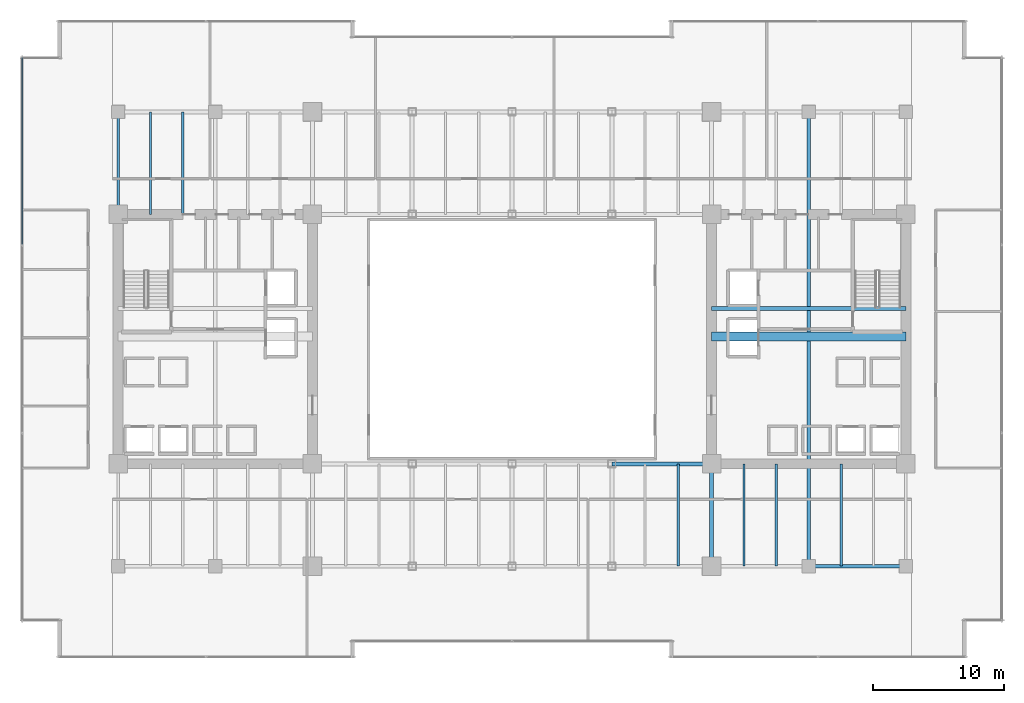
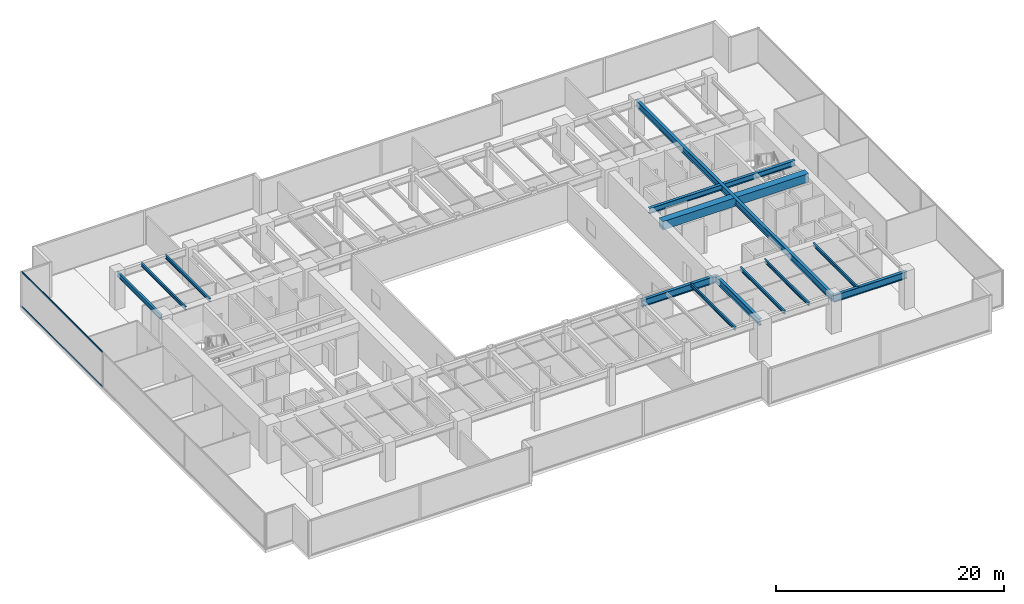
# One storey, part 11 of 36: 13 beams, 2 members, 1 element without a shape of its own.
"""IFC4 building model written with IfcOpenShell, lengths in metres."""

import ifcopenshell
import ifcopenshell.guid

model = None  # the IFC model being written
_history = None  # IfcOwnerHistory: only IFC2X3 demands one
_inside = {}  # id of a spatial element -> (the spatial element, [elements in it])
_under = {}  # id of a project, library or spatial element -> (it, [spatial elements below it])
_declared = {}  # id of a project -> (the project, [libraries it declares])
_typed = {}  # id of a type object -> (the type object, [elements of that type])
_made_of = {}  # id of a material, layer set ... -> (it, [elements and type objects made of it])


def new_model(schema):
    """Start an empty IFC model of exactly this schema.

    Asked for "IFC4X3", IfcOpenShell would pick the latest addendum, in which some entities
    have other attributes; the version numbers below select the first issue.
    IFC2X3 requires an IfcOwnerHistory on every rooted entity: one is made here for all.
    """
    global model, _history
    if schema == "IFC4X3":
        model = ifcopenshell.file(schema_version=(4, 3, 0, 0))
    else:
        model = ifcopenshell.file(schema=schema)
    _inside.clear()
    _under.clear()
    _declared.clear()
    _typed.clear()
    _made_of.clear()
    _history = None
    if model.schema == "IFC2X3":
        org = make("IfcOrganization", Name="unknown")
        user = make(
            "IfcPersonAndOrganization",
            ThePerson=make("IfcPerson", FamilyName="unknown"),
            TheOrganization=org,
        )
        app = make(
            "IfcApplication",
            ApplicationDeveloper=org,
            Version="unknown",
            ApplicationFullName="unknown",
            ApplicationIdentifier="unknown",
        )
        _history = make(
            "IfcOwnerHistory",
            OwningUser=user,
            OwningApplication=app,
            ChangeAction="ADDED",
            CreationDate=0,
        )
    return model


def make(cls, **values):
    """One entity of the class cls with the attributes given. An attribute that is None is left unset."""
    return model.create_entity(
        cls, **{name: value for name, value in values.items() if value is not None}
    )


def rooted(cls, **values):
    """An entity with a GlobalId (a new one), such as an element, a storey or a relation."""
    return make(cls, GlobalId=ifcopenshell.guid.new(), OwnerHistory=_history, **values)


def si_unit(unit_type, name, prefix=None):
    """IfcSIUnit, for example si_unit("LENGTHUNIT", "METRE", prefix="MILLI")."""
    return make("IfcSIUnit", UnitType=unit_type, Prefix=prefix, Name=name)


def assignment(units):
    """IfcUnitAssignment: the units of a project."""
    return None if units is None else make("IfcUnitAssignment", Units=units)


def point(xyz):
    """IfcCartesianPoint."""
    return None if xyz is None else make("IfcCartesianPoint", Coordinates=xyz)


def direction(xyz):
    """IfcDirection."""
    return None if xyz is None else make("IfcDirection", DirectionRatios=xyz)


def frame(location, z_axis=None, x_axis=None):
    """IfcAxis2Placement3D, a coordinate frame: its origin and axes. An axis left out is left unset."""
    return make(
        "IfcAxis2Placement3D",
        Location=point(location),
        Axis=direction(z_axis),
        RefDirection=direction(x_axis),
    )


def frame_2d(location, x_axis=None):
    """IfcAxis2Placement2D, a coordinate frame in the plane: its origin and x axis."""
    return make(
        "IfcAxis2Placement2D", Location=point(location), RefDirection=direction(x_axis)
    )


def origin():
    """The frame at (0, 0, 0) with its axes left unset."""
    return frame((0.0, 0.0, 0.0))


def origin_2d():
    """The frame at (0, 0) in the plane with its x axis left unset."""
    return frame_2d((0.0, 0.0))


def place(relative_to, where):
    """IfcLocalPlacement: puts the frame where relative to a parent placement (None: the world)."""
    return make(
        "IfcLocalPlacement", PlacementRelTo=relative_to, RelativePlacement=where
    )


def context(
    kind, dimensions, precision=None, world=None, true_north=None, identifier=None
):
    """IfcGeometricRepresentationContext, for example the 3D "Model" context."""
    return make(
        "IfcGeometricRepresentationContext",
        ContextIdentifier=identifier,
        ContextType=kind,
        CoordinateSpaceDimension=dimensions,
        Precision=precision,
        WorldCoordinateSystem=world,
        TrueNorth=true_north,
    )


def subcontext(parent, identifier, kind, view, scale=None):
    """IfcGeometricRepresentationSubContext, for example "Body" below "Model"."""
    return make(
        "IfcGeometricRepresentationSubContext",
        ContextIdentifier=identifier,
        ContextType=kind,
        ParentContext=parent,
        TargetScale=scale,
        TargetView=view,
    )


def project(units=None, contexts=None):
    """IfcProject with its units and contexts."""
    return rooted(
        "IfcProject",
        Name="project",
        RepresentationContexts=contexts,
        UnitsInContext=assignment(units),
    )


def spatial(cls, under=None, at=None, **own):
    """A site, building, storey or space (cls), placed at a placement, below another one or the project."""
    s = rooted(cls, ObjectPlacement=at, **own)
    if under is not None:
        _under.setdefault(under.id(), (under, []))[1].append(s)
    return s


def profile(cls, at=None, kind="AREA", **sizes):
    """A parametric profile (cls). Its sizes go by their IFC names, for example OverallWidth=200.0."""
    return make(cls, ProfileType=kind, Position=at, **sizes)


def rectangle(**sizes):
    """IfcRectangleProfileDef."""
    return profile("IfcRectangleProfileDef", **sizes)


def hollow_rectangle(**sizes):
    """IfcRectangleHollowProfileDef."""
    return profile("IfcRectangleHollowProfileDef", **sizes)


def i_section(**sizes):
    """IfcIShapeProfileDef."""
    return profile("IfcIShapeProfileDef", **sizes)


def extrude(swept, where, along, depth):
    """IfcExtrudedAreaSolid: the profile swept, set in the frame where, extruded along a direction by depth."""
    return make(
        "IfcExtrudedAreaSolid",
        SweptArea=swept,
        Position=where,
        ExtrudedDirection=direction(along),
        Depth=depth,
    )


def shape(context_of_items, identifier, shape_type, items):
    """IfcShapeRepresentation: the items that make up one representation, for example the "Body"."""
    return make(
        "IfcShapeRepresentation",
        ContextOfItems=context_of_items,
        RepresentationIdentifier=identifier,
        RepresentationType=shape_type,
        Items=items,
    )


def source(mapping_origin, context_of_items, identifier, shape_type, items):
    """IfcRepresentationMap: a shape defined once, which mapped items show again and again."""
    return make(
        "IfcRepresentationMap",
        MappingOrigin=mapping_origin,
        MappedRepresentation=shape(context_of_items, identifier, shape_type, items),
    )


def transform(
    local_origin,
    x_axis=None,
    y_axis=None,
    z_axis=None,
    scale=None,
    scale2=None,
    scale3=None,
    uniform=True,
):
    """IfcCartesianTransformationOperator3D, or its non-uniform kind. x_axis, y_axis, z_axis: its Axis1, 2, 3."""
    if uniform:
        return make(
            "IfcCartesianTransformationOperator3D",
            Axis1=direction(x_axis),
            Axis2=direction(y_axis),
            LocalOrigin=point(local_origin),
            Scale=scale,
            Axis3=direction(z_axis),
        )
    return make(
        "IfcCartesianTransformationOperator3DnonUniform",
        Axis1=direction(x_axis),
        Axis2=direction(y_axis),
        LocalOrigin=point(local_origin),
        Scale=scale,
        Axis3=direction(z_axis),
        Scale2=scale2,
        Scale3=scale3,
    )


def mapped(mapping_source, mapping_target):
    """IfcMappedItem: shows the shape of a source again, moved by a transform."""
    return make(
        "IfcMappedItem", MappingSource=mapping_source, MappingTarget=mapping_target
    )


def material(Name=None, Category=None):
    """IfcMaterial."""
    return make("IfcMaterial", Name=Name, Category=Category)


def layer(
    of_material, thickness, ventilated=None, Name=None, Category=None, Priority=None
):
    """IfcMaterialLayer: one layer of a wall or slab, of a material (None: an air gap)."""
    return make(
        "IfcMaterialLayer",
        Material=of_material,
        LayerThickness=thickness,
        IsVentilated=ventilated,
        Name=Name,
        Category=Category,
        Priority=Priority,
    )


def layer_set(layers, Name=None):
    """IfcMaterialLayerSet."""
    return make("IfcMaterialLayerSet", MaterialLayers=layers, LayerSetName=Name)


def material_profile(
    of_material, cross_section, Name=None, Category=None, Priority=None
):
    """IfcMaterialProfile: a cross section and its material."""
    return make(
        "IfcMaterialProfile",
        Name=Name,
        Material=of_material,
        Profile=cross_section,
        Priority=Priority,
        Category=Category,
    )


def profile_set(profiles, Name=None, composite=None):
    """IfcMaterialProfileSet."""
    return make(
        "IfcMaterialProfileSet",
        Name=Name,
        MaterialProfiles=profiles,
        CompositeProfile=composite,
    )


def made_of(thing, what):
    """Note that an element or type object is made of a material, layer set ...; save() writes the relation."""
    if what is not None:
        _made_of.setdefault(what.id(), (what, []))[1].append(thing)
    return thing


def type_object(cls, material=None, **own):
    """A type object (cls), such as IfcWallType, which elements share."""
    return made_of(rooted(cls, **own), material)


def type_shapes(of_type, sources):
    """Give a type object the sources (RepresentationMaps) that its elements show as mapped items."""
    of_type.RepresentationMaps = sources


def element(
    cls,
    number,
    at=None,
    inside=None,
    cuts=None,
    type_object=None,
    material=None,
    context=None,
    identifier="Body",
    shape_type=None,
    held_by="IfcProductDefinitionShape",
    body=None,
    shapes=None,
    **own,
):
    """One element of the class cls, such as IfcWall. Its Tag is "e" and its number.

    at: its placement. inside: the storey or other place that contains it. cuts: it is an
    opening in that element (IfcRelVoidsElement). A single representation is given by context,
    identifier, shape_type and body (its items); several are given by shapes. held_by: the class
    of the entity that holds the representations. save() writes the other relations.
    """
    e = rooted(cls, Tag="e%d" % number, ObjectPlacement=at, **own)
    if body is not None:
        shapes = [shape(context, identifier, shape_type, body)]
    if shapes is not None:
        e.Representation = make(held_by, Representations=shapes)
    if inside is not None:
        _inside.setdefault(inside.id(), (inside, []))[1].append(e)
    if cuts is not None:
        rooted(
            "IfcRelVoidsElement", RelatingBuildingElement=cuts, RelatedOpeningElement=e
        )
    if type_object is not None:
        _typed.setdefault(type_object.id(), (type_object, []))[1].append(e)
    return made_of(e, material)


def aggregate(whole, parts):
    """IfcRelAggregates: a whole, such as a stair, and the parts it consists of."""
    return rooted("IfcRelAggregates", RelatingObject=whole, RelatedObjects=parts)


def save(model, path):
    """Write the relations noted so far, then the file.

    IfcRelAggregates (storeys below a building ...), IfcRelContainedInSpatialStructure (elements
    in a storey), IfcRelDefinesByType, IfcRelAssociatesMaterial and IfcRelDeclares: one each for
    every whole, place, type object, material and project.
    """
    for whole, parts in _under.values():
        aggregate(whole, parts)
    for where, things in _inside.values():
        rooted(
            "IfcRelContainedInSpatialStructure",
            RelatedElements=things,
            RelatingStructure=where,
        )
    for kind, things in _typed.values():
        rooted("IfcRelDefinesByType", RelatedObjects=things, RelatingType=kind)
    for what, things in _made_of.values():
        rooted("IfcRelAssociatesMaterial", RelatedObjects=things, RelatingMaterial=what)
    for by, libraries in _declared.values():
        rooted("IfcRelDeclares", RelatingContext=by, RelatedDefinitions=libraries)
    model.write(path)


model = new_model("IFC4")

# Units and contexts
model_context = context("Model", 3, precision=1e-05, world=origin(), true_north=direction((0.0, 1.0)))
body_context = subcontext(model_context, "Body", "Model", "MODEL_VIEW")
ifc_project = project(units=[si_unit("LENGTHUNIT", "METRE"), si_unit("AREAUNIT", "SQUARE_METRE"), si_unit("VOLUMEUNIT", "CUBIC_METRE"), si_unit("PLANEANGLEUNIT", "RADIAN"), si_unit("MASSUNIT", "GRAM", prefix="KILO")], contexts=[model_context])

# Site, building, storey
site_placement = place(None, origin())
site = spatial("IfcSite", under=ifc_project, at=site_placement, CompositionType="ELEMENT")
building_placement = place(site_placement, origin())
building = spatial("IfcBuilding", under=site, at=building_placement, Name="Haelvirn Gate Laboratories", CompositionType="ELEMENT")
storey_placement = place(building_placement, frame((0.0, 0.0, 49.800048828125)))
storey = spatial("IfcBuildingStorey", under=building, at=storey_placement, Name="L12", CompositionType="ELEMENT", Elevation=49.800048828125)

# Beams
ifc_material_1 = material(Name="Concrete C60/75", Category="concrete")
ifc_material_profile_1 = material_profile(ifc_material_1, rectangle(XDim=0.699951171875, YDim=0.89990234375, at=origin_2d()), Name="RCB-700x900")
ifc_profile_set_1 = profile_set([ifc_material_profile_1], Name="Concrete C60/75")
beam_type_1 = type_object("IfcBeamType", Name="BM-RCB-900", PredefinedType="LINTEL", material=ifc_profile_set_1)
shared_shape_1 = source(origin(), body_context, "Body", "SweptSolid", [
    extrude(rectangle(XDim=0.699951171875, YDim=0.89990234375, at=origin_2d()), origin(), (0.0, 0.0, 1.0), 14.7998046875),
])
type_shapes(beam_type_1, [shared_shape_1])
beam_1_placement = place(storey_placement, frame((52.60009765625, 24.5, 3.329833984375), z_axis=(1.0, 0.0, 0.0), x_axis=(0.0, 1.0, 0.0)))
element("IfcBeam", 1, at=beam_1_placement, inside=storey, type_object=beam_type_1, Name="L12 East Core Coupling Beam", PredefinedType="LINTEL", context=body_context, shape_type="MappedRepresentation", body=[
    mapped(shared_shape_1, transform((0.0, 0.0, 0.0), scale=1.0)),
])
ifc_material_2 = material(Name="Steel SM355", Category="steel")
ifc_material_profile_2 = material_profile(ifc_material_2, i_section(OverallWidth=0.300048828125, OverallDepth=0.587890625, WebThickness=0.011962890625, FlangeThickness=0.02001953125, at=origin_2d()), Name="H-588x300x12x20")
ifc_profile_set_2 = profile_set([ifc_material_profile_2], Name="Steel SM355")
beam_type_2 = type_object("IfcBeamType", Name="BM-G-588", PredefinedType="BEAM", material=ifc_profile_set_2)
shared_shape_2 = source(origin(), body_context, "Body", "SweptSolid", [
    extrude(i_section(OverallWidth=0.300048828125, OverallDepth=0.587890625, WebThickness=0.011962890625, FlangeThickness=0.02001953125, at=origin_2d()), origin(), (0.0, 0.0, 1.0), 14.7998046875),
])
type_shapes(beam_type_2, [shared_shape_2])
beam_2_placement = place(storey_placement, frame((52.60009765625, 26.6201171875, 3.48583984375), z_axis=(1.0, 0.0, 0.0), x_axis=(0.0, 1.0, 0.0)))
element("IfcBeam", 2, at=beam_2_placement, inside=storey, type_object=beam_type_2, Name="L12 Stair ST2 Landing Header", PredefinedType="BEAM", context=body_context, shape_type="MappedRepresentation", body=[
    mapped(shared_shape_2, transform((0.0, 0.0, 0.0), scale=1.0)),
])
ifc_material_profile_3 = material_profile(ifc_material_2, i_section(OverallWidth=0.300048828125, OverallDepth=0.699951171875, WebThickness=0.012939453125, FlangeThickness=0.02392578125, at=origin_2d()), Name="H-700x300x13x24")
ifc_profile_set_3 = profile_set([ifc_material_profile_3], Name="Steel SM355")
beam_type_3 = type_object("IfcBeamType", Name="BM-G-700", PredefinedType="BEAM", material=ifc_profile_set_3)
shared_shape_3 = source(origin(), body_context, "Body", "SweptSolid", [
    extrude(i_section(OverallWidth=0.300048828125, OverallDepth=0.699951171875, WebThickness=0.012939453125, FlangeThickness=0.02392578125, at=origin_2d()), origin(), (0.0, 0.0, 1.0), 7.800048828125),
])
beam_3_placement = place(storey_placement, frame((52.60009765625, 7.0, 3.429931640625), z_axis=(0.0, 1.0, 0.0), x_axis=(-1.0, 0.0, 0.0)))
element("IfcBeam", 3, at=beam_3_placement, inside=storey, type_object=beam_type_3, Name="L12 Frame Girder X52.6 (7.0-14.8)", PredefinedType="BEAM", context=body_context, shape_type="MappedRepresentation", body=[
    mapped(shared_shape_3, transform((0.0, 0.0, 0.0), scale=1.0)),
])
shared_shape_4 = source(origin(), body_context, "Body", "SweptSolid", [
    extrude(i_section(OverallWidth=0.300048828125, OverallDepth=0.699951171875, WebThickness=0.012939453125, FlangeThickness=0.02392578125, at=origin_2d()), origin(), (0.0, 0.0, 1.0), 34.60009765625),
])
type_shapes(beam_type_3, [shared_shape_3, shared_shape_4])
beam_4_placement = place(storey_placement, frame((60.0, 7.0, 3.429931640625), z_axis=(0.0, 1.0, 0.0), x_axis=(-1.0, 0.0, 0.0)))
element("IfcBeam", 4, at=beam_4_placement, inside=storey, type_object=beam_type_3, Name="L12 Frame Girder X60.0 (7.0-41.6)", PredefinedType="BEAM", context=body_context, shape_type="MappedRepresentation", body=[
    mapped(shared_shape_4, transform((0.0, 0.0, 0.0), scale=1.0)),
])
ifc_material_profile_4 = material_profile(ifc_material_2, i_section(OverallWidth=0.300048828125, OverallDepth=0.75, WebThickness=0.013916015625, FlangeThickness=0.02392578125, at=origin_2d()), Name="H-750x300x14x24")
ifc_profile_set_4 = profile_set([ifc_material_profile_4], Name="Steel SM355")
beam_type_4 = type_object("IfcBeamType", Name="BM-G-750", PredefinedType="BEAM", material=ifc_profile_set_4)
shared_shape_5 = source(origin(), body_context, "Body", "SweptSolid", [
    extrude(i_section(OverallWidth=0.300048828125, OverallDepth=0.75, WebThickness=0.013916015625, FlangeThickness=0.02392578125, at=origin_2d()), origin(), (0.0, 0.0, 1.0), 7.39990234375),
])
beam_5_placement = place(storey_placement, frame((60.0, 7.0, 3.405029296875), z_axis=(1.0, 0.0, 0.0), x_axis=(0.0, 1.0, 0.0)))
element("IfcBeam", 5, at=beam_5_placement, inside=storey, type_object=beam_type_4, Name="L12 Primary Girder Y7.0 (60.0-67.4)", PredefinedType="BEAM", context=body_context, shape_type="MappedRepresentation", body=[
    mapped(shared_shape_5, transform((0.0, 0.0, 0.0), scale=1.0)),
])
shared_shape_6 = source(origin(), body_context, "Body", "SweptSolid", [
    extrude(i_section(OverallWidth=0.300048828125, OverallDepth=0.75, WebThickness=0.013916015625, FlangeThickness=0.02392578125, at=origin_2d()), origin(), (0.0, 0.0, 1.0), 7.60009765625),
])
type_shapes(beam_type_4, [shared_shape_5, shared_shape_6])
beam_6_placement = place(storey_placement, frame((45.0, 14.800048828125, 3.405029296875), z_axis=(1.0, 0.0, 0.0), x_axis=(0.0, 1.0, 0.0)))
element("IfcBeam", 6, at=beam_6_placement, inside=storey, type_object=beam_type_4, Name="L12 Primary Girder Y14.8 (45.0-52.6)", PredefinedType="BEAM", context=body_context, shape_type="MappedRepresentation", body=[
    mapped(shared_shape_6, transform((0.0, 0.0, 0.0), scale=1.0)),
])
ifc_material_profile_5 = material_profile(ifc_material_2, i_section(OverallWidth=0.199951171875, OverallDepth=0.5, WebThickness=0.010009765625, FlangeThickness=0.01611328125, at=origin_2d()), Name="H-500x200x10x16")
ifc_profile_set_5 = profile_set([ifc_material_profile_5], Name="Steel SM355")
beam_type_5 = type_object("IfcBeamType", Name="BM-SP-500", PredefinedType="SPANDREL", material=ifc_profile_set_5)
shared_shape_7 = source(origin(), body_context, "Body", "SweptSolid", [
    extrude(i_section(OverallWidth=0.199951171875, OverallDepth=0.5, WebThickness=0.010009765625, FlangeThickness=0.01611328125, at=origin_2d()), origin(), (0.0, 0.0, 1.0), 7.800048828125),
])
type_shapes(beam_type_5, [shared_shape_7])
beam_7_placement = place(storey_placement, frame((7.39990234375, 33.800048828125, 3.530029296875), z_axis=(0.0, 1.0, 0.0), x_axis=(-1.0, 0.0, 0.0)))
element("IfcBeam", 7, at=beam_7_placement, inside=storey, type_object=beam_type_5, Name="L12 Perimeter Spandrel X7.4 (33.8-41.6)", PredefinedType="SPANDREL", context=body_context, shape_type="MappedRepresentation", body=[
    mapped(shared_shape_7, transform((0.0, 0.0, 0.0), scale=1.0)),
])
ifc_material_profile_6 = material_profile(ifc_material_2, i_section(OverallWidth=0.175048828125, OverallDepth=0.35009765625, WebThickness=0.007080078125, FlangeThickness=0.010986328125, at=origin_2d()), Name="H-350x175x7x11")
ifc_profile_set_6 = profile_set([ifc_material_profile_6], Name="Steel SM355")
beam_type_6 = type_object("IfcBeamType", Name="BM-J-350", PredefinedType="JOIST", material=ifc_profile_set_6)
shared_shape_8 = source(origin(), body_context, "Body", "SweptSolid", [
    extrude(i_section(OverallWidth=0.175048828125, OverallDepth=0.35009765625, WebThickness=0.007080078125, FlangeThickness=0.010986328125, at=origin_2d()), origin(), (0.0, 0.0, 1.0), 7.800048828125),
])
type_shapes(beam_type_6, [shared_shape_8])
for number, where, z_axis, x_axis, name in (
    (8, (9.8701171875, 33.800048828125, 3.60498046875), (0.0, 1.0, 0.0), (-1.0, 0.0, 0.0), "L12 Composite Lab Joist North X9.87"),
    (9, (12.330078125, 33.800048828125, 3.60498046875), (0.0, 1.0, 0.0), (-1.0, 0.0, 0.0), "L12 Composite Lab Joist North X12.33"),
    (10, (50.070068359375, 7.0, 3.60498046875), (0.0, 1.0, 0.0), (-1.0, 0.0, 0.0), "L12 Composite Lab Joist South X50.07"),
    (11, (55.070068359375, 7.0, 3.60498046875), (0.0, 1.0, 0.0), (-1.0, 0.0, 0.0), "L12 Composite Lab Joist South X55.07"),
    (12, (57.530029296875, 7.0, 3.60498046875), (0.0, 1.0, 0.0), (-1.0, 0.0, 0.0), "L12 Composite Lab Joist South X57.53"),
    (13, (62.469970703125, 7.0, 3.60498046875), (0.0, 1.0, 0.0), (-1.0, 0.0, 0.0), "L12 Composite Lab Joist South X62.47"),
):
    element("IfcBeam", number, at=place(storey_placement, frame(where, z_axis=z_axis, x_axis=x_axis)), inside=storey, type_object=beam_type_6, Name=name, PredefinedType="JOIST", context=body_context, shape_type="MappedRepresentation", body=[
        mapped(shared_shape_8, transform((0.0, 0.0, 0.0), scale=1.0)),
    ])

# Curtain wall, members
ifc_material_3 = material(Name="Anodised bronze unitised aluminium & triple low-E glass", Category="aluminium")
ifc_layer = layer(ifc_material_3, 0.18408203125, Name="CW-SYS-2")
ifc_layer_set = layer_set([ifc_layer], Name="Anodised bronze unitised aluminium & triple low-E glass")
curtain_wall_type = type_object("IfcCurtainWallType", Name="CW-SYS-2", PredefinedType="NOTDEFINED", material=ifc_layer_set)
curtain_wall_placement = place(storey_placement, origin())
curtain_wall = element("IfcCurtainWall", 14, at=curtain_wall_placement, inside=storey, type_object=curtain_wall_type, Name="L12 Unitised Curtain Wall CW-L12-P0-E17", PredefinedType="NOTDEFINED")
ifc_material_4 = material(Name="Extruded aluminium 6063-T6 (anodised bronze)", Category="aluminium")
ifc_material_profile_7 = material_profile(ifc_material_4, hollow_rectangle(XDim=0.070068359375, YDim=0.159912109375, WallThickness=0.0048828125, at=origin_2d()), Name="CWT-160x70x5")
ifc_profile_set_7 = profile_set([ifc_material_profile_7], Name="Extruded aluminium 6063-T6 (anodised bronze)")
member_type = type_object("IfcMemberType", Name="CWT-T160", PredefinedType="USERDEFINED", material=ifc_profile_set_7)
shared_shape_9 = source(origin(), body_context, "Body", "SweptSolid", [
    extrude(hollow_rectangle(XDim=0.070068359375, YDim=0.159912109375, WallThickness=0.0048828125, at=origin_2d()), origin(), (0.0, 0.0, 1.0), 14.220947265625),
])
type_shapes(member_type, [shared_shape_9])
member_1_placement = place(storey_placement, frame((0.10009765625, 45.72509765625, 0.034912109375), z_axis=(0.0, -1.0, 0.0), x_axis=(1.0, 0.0, 0.0)))
member_1 = element("IfcMember", 15, at=member_1_placement, type_object=member_type, Name="CW2 transom 1.1", ObjectType="TRANSOM", PredefinedType="USERDEFINED", context=body_context, shape_type="MappedRepresentation", body=[
    mapped(shared_shape_9, transform((0.0, 0.0, 0.0), scale=1.0)),
])
member_2_placement = place(storey_placement, frame((0.10009765625, 45.72509765625, 3.744873046875), z_axis=(0.0, -1.0, 0.0), x_axis=(1.0, 0.0, 0.0)))
member_2 = element("IfcMember", 16, at=member_2_placement, type_object=member_type, Name="CW2 transom 1.2", ObjectType="TRANSOM", PredefinedType="USERDEFINED", context=body_context, shape_type="MappedRepresentation", body=[
    mapped(shared_shape_9, transform((0.0, 0.0, 0.0), scale=1.0)),
])
aggregate(curtain_wall, [member_1, member_2])

save(model, "model.ifc")
